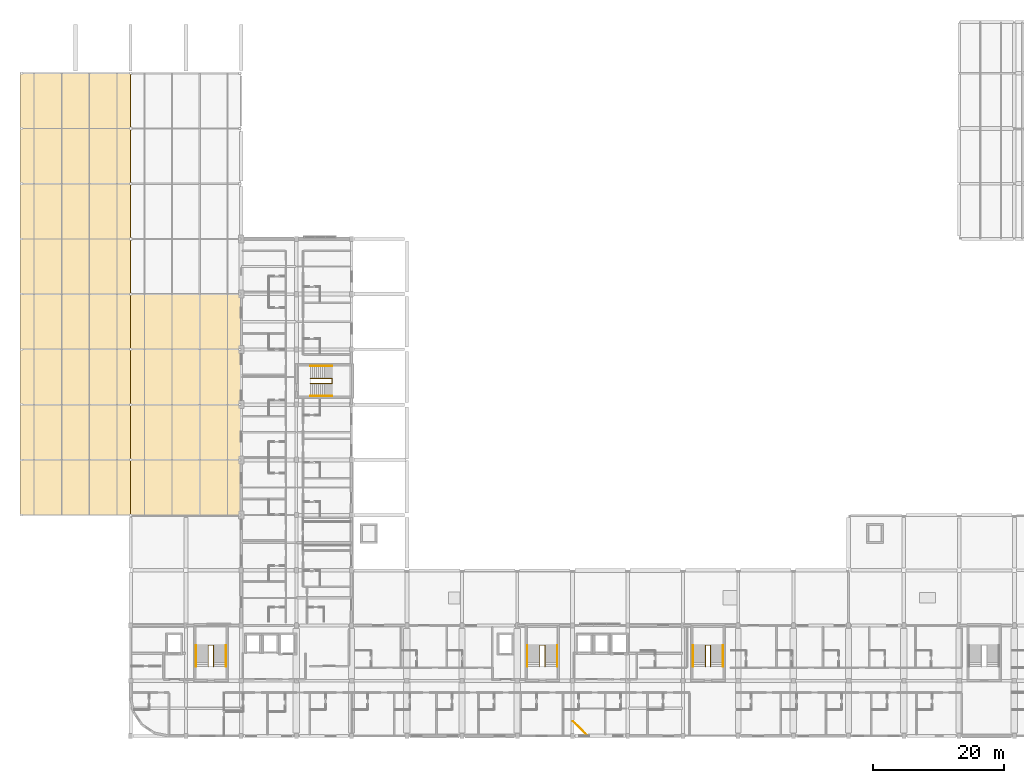
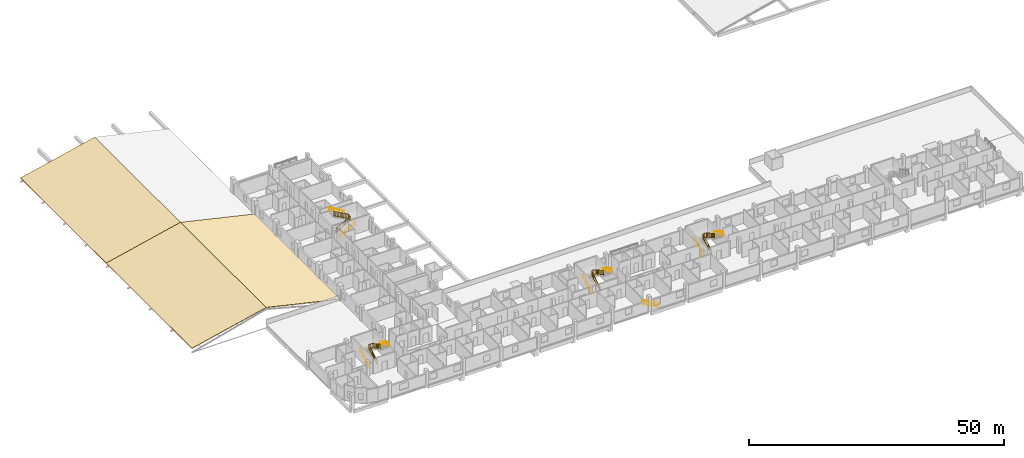
# One storey, part 40 of 42: 13 railings, 3 coverings.
"""IFC4 building model written with IfcOpenShell, lengths in metres."""

from ifc_helpers import new_model, si_unit, derived_unit, direction, frame, origin, origin_2d, place, context, subcontext, project, spatial, polyline, circle, outline, extrude, material, layer, layer_set, type_object, element, save


model = new_model("IFC4")

# Units and contexts
model_context = context("Model", 3, precision=1e-05, world=origin(), true_north=direction((0.0, 1.0)))
body_context = subcontext(model_context, "Body", "Model", "MODEL_VIEW")
ifc_project = project(units=[si_unit("LENGTHUNIT", "METRE"), si_unit("AREAUNIT", "SQUARE_METRE"), si_unit("VOLUMEUNIT", "CUBIC_METRE"), si_unit("PLANEANGLEUNIT", "RADIAN"), si_unit("MASSUNIT", "GRAM", prefix="KILO"), derived_unit("THERMALTRANSMITTANCEUNIT", [(si_unit("POWERUNIT", "WATT"), 1), (si_unit("LENGTHUNIT", "METRE"), -2), (si_unit("THERMODYNAMICTEMPERATUREUNIT", "KELVIN"), -1)])], contexts=[model_context])

# Site, building, storey
site_placement = place(None, origin())
site = spatial("IfcSite", under=ifc_project, at=site_placement, CompositionType="ELEMENT")
building_placement = place(site_placement, origin())
building = spatial("IfcBuilding", under=site, at=building_placement, Name="Barrovel Congress Hotel", CompositionType="ELEMENT")
storey_placement = place(building_placement, frame((0.0, 0.0, 18.300048828125)))
storey = spatial("IfcBuildingStorey", under=building, at=storey_placement, Name="L04", CompositionType="ELEMENT", Elevation=18.300048828125)

# Coverings
ifc_material_1 = material(Name="Terracotta Clay Tile Finish", Category="masonry")
ifc_layer_1 = layer(ifc_material_1, 0.050048828125)
ifc_layer_set_1 = layer_set([ifc_layer_1], Name="Terracotta Clay Tile Finish")
covering_type = type_object("IfcCoveringType", Name="COV-ROOFING-TILE", PredefinedType="ROOFING", material=ifc_layer_set_1)
for number, where, z_axis, x_axis, name in (
    (1, (0.0, 37.800048828125, 0.050048828125), (-0.22494120268, 0.0, 0.974372339169), (0.974372339169, 0.0, 0.22494120268), "COV:V1-ROOF-W1"),
    (2, (16.800048828125, 37.800048828125, 3.928466796875), (0.22494120268, 0.0, 0.974372339169), (0.974372339169, 0.0, -0.22494120268), "COV:V1-ROOF-E1"),
):
    element("IfcCovering", number, at=place(storey_placement, frame(where, z_axis=z_axis, x_axis=x_axis)), inside=storey, type_object=covering_type, Name=name, PredefinedType="ROOFING", context=body_context, shape_type="SweptSolid", body=[
        extrude(outline(polyline([(0.0, 0.0), (17.24191887719308, 0.0), (17.24191887719308, 33.59985351562499), (0.0, 33.59985351562499), (0.0, 0.0)])), origin(), (0.0, 0.0, -1.0), 0.050048828125),
    ])
covering_placement = place(storey_placement, frame((0.0, 71.39990234375, 0.050048828125), z_axis=(-0.22494120268, 0.0, 0.974372339169), x_axis=(0.974372339169, 0.0, 0.22494120268)))
element("IfcCovering", 3, at=covering_placement, inside=storey, type_object=covering_type, Name="COV:V1-ROOF-W2", PredefinedType="ROOFING", context=body_context, shape_type="SweptSolid", body=[
    extrude(outline(polyline([(0.0, 0.0), (17.24191887719308, 0.0), (17.24191887719308, 33.60009765624999), (0.0, 33.60009765624999), (0.0, 0.0)])), origin(), (0.0, 0.0, -1.0), 0.050048828125),
])

# Railings
ifc_material_2 = material(Name="Painted Architectural Steel", Category="steel")
ifc_layer_2 = layer(ifc_material_2, 0.070068359375)
ifc_layer_set_2 = layer_set([ifc_layer_2], Name="Painted Architectural Steel")
railing_type_1 = type_object("IfcRailingType", Name="RAIL-GUARD-INT", PredefinedType="BALUSTRADE", material=ifc_layer_set_2)
railing_1_placement = place(storey_placement, frame((28.60009765625, 14.739990234375, 0.0)))
element("IfcRailing", 4, at=railing_1_placement, inside=storey, type_object=railing_type_1, Name="STAIR:XS-01:L04:GR-W", PredefinedType="BALUSTRADE", context=body_context, shape_type="SweptSolid", body=[
    extrude(circle(Radius=0.02392578125, at=origin_2d()), frame((0.0, 0.0, 1.11572265625), z_axis=(0.0, 0.876041855244, 0.482235075311), x_axis=(-1.0, 0.0, 0.0)), (0.0, 0.0, 1.0), 3.732666015625),
    extrude(circle(Radius=0.02392578125, at=origin_2d()), frame((0.0, 0.0, 0.10009765625), z_axis=(0.0, 0.876041855244, 0.482235075311), x_axis=(-1.0, 0.0, 0.0)), (0.0, 0.0, 1.0), 3.732666015625),
    extrude(circle(Radius=0.010009765625, at=origin_2d()), frame((0.0, 0.36328125, 0.300048828125)), (0.0, 0.0, 1.0), 0.99169921875),
    extrude(circle(Radius=0.010009765625, at=origin_2d()), frame((0.0, 0.7265625, 0.5)), (0.0, 0.0, 1.0), 0.99169921875),
    extrude(circle(Radius=0.010009765625, at=origin_2d()), frame((0.0, 1.090087890625, 0.699951171875)), (0.0, 0.0, 1.0), 0.99169921875),
    extrude(circle(Radius=0.010009765625, at=origin_2d()), frame((0.0, 1.453369140625, 0.89990234375)), (0.0, 0.0, 1.0), 0.99169921875),
    extrude(circle(Radius=0.010009765625, at=origin_2d()), frame((0.0, 1.816650390625, 1.10009765625)), (0.0, 0.0, 1.0), 0.99169921875),
    extrude(circle(Radius=0.010009765625, at=origin_2d()), frame((0.0, 2.179931640625, 1.300048828125)), (0.0, 0.0, 1.0), 0.99169921875),
    extrude(circle(Radius=0.010009765625, at=origin_2d()), frame((0.0, 2.54345703125, 1.5)), (0.0, 0.0, 1.0), 0.99169921875),
    extrude(circle(Radius=0.010009765625, at=origin_2d()), frame((0.0, 2.90673828125, 1.699951171875)), (0.0, 0.0, 1.0), 0.99169921875),
    extrude(circle(Radius=0.02392578125, at=origin_2d()), frame((0.0, 3.27001953125, 2.916015625), z_axis=(1.0, 0.0, 0.0), x_axis=(0.0, 1.0, 0.0)), (0.0, 0.0, 1.0), 0.7998046875),
    extrude(circle(Radius=0.02392578125, at=origin_2d()), frame((0.0, 3.27001953125, 1.900146484375), z_axis=(1.0, 0.0, 0.0), x_axis=(0.0, 1.0, 0.0)), (0.0, 0.0, 1.0), 0.7998046875),
    extrude(circle(Radius=0.010009765625, at=origin_2d()), frame((0.39990234375, 3.27001953125, 1.900146484375)), (0.0, 0.0, 1.0), 0.99169921875),
    extrude(circle(Radius=0.02392578125, at=origin_2d()), frame((0.7998046875, 3.27001953125, 2.916015625), z_axis=(0.0, -0.87606948578, 0.482184877495), x_axis=(1.0, 0.0, 0.0)), (0.0, 0.0, 1.0), 3.732666015625),
    extrude(circle(Radius=0.02392578125, at=origin_2d()), frame((0.7998046875, 3.27001953125, 1.900146484375), z_axis=(0.0, -0.87606948578, 0.482184877495), x_axis=(1.0, 0.0, 0.0)), (0.0, 0.0, 1.0), 3.732666015625),
    extrude(circle(Radius=0.010009765625, at=origin_2d()), frame((0.7998046875, 2.90673828125, 2.10009765625)), (0.0, 0.0, 1.0), 0.99169921875),
    extrude(circle(Radius=0.010009765625, at=origin_2d()), frame((0.7998046875, 2.54345703125, 2.300048828125)), (0.0, 0.0, 1.0), 0.99169921875),
    extrude(circle(Radius=0.010009765625, at=origin_2d()), frame((0.7998046875, 2.179931640625, 2.5)), (0.0, 0.0, 1.0), 0.99169921875),
    extrude(circle(Radius=0.010009765625, at=origin_2d()), frame((0.7998046875, 1.816650390625, 2.699951171875)), (0.0, 0.0, 1.0), 0.99169921875),
    extrude(circle(Radius=0.010009765625, at=origin_2d()), frame((0.7998046875, 1.453369140625, 2.89990234375)), (0.0, 0.0, 1.0), 0.99169921875),
    extrude(circle(Radius=0.010009765625, at=origin_2d()), frame((0.7998046875, 1.090087890625, 3.099853515625)), (0.0, 0.0, 1.0), 0.99169921875),
    extrude(circle(Radius=0.010009765625, at=origin_2d()), frame((0.7998046875, 0.7265625, 3.2998046875)), (0.0, 0.0, 1.0), 0.99169921875),
    extrude(circle(Radius=0.010009765625, at=origin_2d()), frame((0.7998046875, 0.36328125, 3.499755859375)), (0.0, 0.0, 1.0), 0.99169921875),
    extrude(circle(Radius=0.02099609375, at=origin_2d()), origin(), (0.0, 0.0, 1.0), 1.091796875),
    extrude(circle(Radius=0.02099609375, at=origin_2d()), frame((0.0, 1.090087890625, 0.60009765625)), (0.0, 0.0, 1.0), 1.091796875),
    extrude(circle(Radius=0.02099609375, at=origin_2d()), frame((0.0, 2.179931640625, 1.199951171875)), (0.0, 0.0, 1.0), 1.091796875),
    extrude(circle(Radius=0.02099609375, at=origin_2d()), frame((0.0, 3.27001953125, 1.800048828125)), (0.0, 0.0, 1.0), 1.091796875),
    extrude(circle(Radius=0.02099609375, at=origin_2d()), frame((0.7998046875, 3.27001953125, 1.800048828125)), (0.0, 0.0, 1.0), 1.091796875),
    extrude(circle(Radius=0.02099609375, at=origin_2d()), frame((0.7998046875, 2.179931640625, 2.39990234375)), (0.0, 0.0, 1.0), 1.091796875),
    extrude(circle(Radius=0.02099609375, at=origin_2d()), frame((0.7998046875, 1.090087890625, 3.0)), (0.0, 0.0, 1.0), 1.091796875),
    extrude(circle(Radius=0.02099609375, at=origin_2d()), frame((0.7998046875, 0.0, 3.599853515625)), (0.0, 0.0, 1.0), 1.091796875),
])
railing_2_placement = place(storey_placement, frame((79.0, 14.739990234375, 0.0)))
element("IfcRailing", 5, at=railing_2_placement, inside=storey, type_object=railing_type_1, Name="STAIR:XS-02:L04:GR-W", PredefinedType="BALUSTRADE", context=body_context, shape_type="SweptSolid", body=[
    extrude(circle(Radius=0.02392578125, at=origin_2d()), frame((0.0, 0.0, 1.11572265625), z_axis=(0.0, 0.876041855244, 0.482235075311), x_axis=(-1.0, 0.0, 0.0)), (0.0, 0.0, 1.0), 3.732666015625),
    extrude(circle(Radius=0.02392578125, at=origin_2d()), frame((0.0, 0.0, 0.10009765625), z_axis=(0.0, 0.876041855244, 0.482235075311), x_axis=(-1.0, 0.0, 0.0)), (0.0, 0.0, 1.0), 3.732666015625),
    extrude(circle(Radius=0.010009765625, at=origin_2d()), frame((0.0, 0.36328125, 0.300048828125)), (0.0, 0.0, 1.0), 0.99169921875),
    extrude(circle(Radius=0.010009765625, at=origin_2d()), frame((0.0, 0.7265625, 0.5)), (0.0, 0.0, 1.0), 0.99169921875),
    extrude(circle(Radius=0.010009765625, at=origin_2d()), frame((0.0, 1.090087890625, 0.699951171875)), (0.0, 0.0, 1.0), 0.99169921875),
    extrude(circle(Radius=0.010009765625, at=origin_2d()), frame((0.0, 1.453369140625, 0.89990234375)), (0.0, 0.0, 1.0), 0.99169921875),
    extrude(circle(Radius=0.010009765625, at=origin_2d()), frame((0.0, 1.816650390625, 1.10009765625)), (0.0, 0.0, 1.0), 0.99169921875),
    extrude(circle(Radius=0.010009765625, at=origin_2d()), frame((0.0, 2.179931640625, 1.300048828125)), (0.0, 0.0, 1.0), 0.99169921875),
    extrude(circle(Radius=0.010009765625, at=origin_2d()), frame((0.0, 2.54345703125, 1.5)), (0.0, 0.0, 1.0), 0.99169921875),
    extrude(circle(Radius=0.010009765625, at=origin_2d()), frame((0.0, 2.90673828125, 1.699951171875)), (0.0, 0.0, 1.0), 0.99169921875),
    extrude(circle(Radius=0.02392578125, at=origin_2d()), frame((0.0, 3.27001953125, 2.916015625), z_axis=(1.0, 0.0, 0.0), x_axis=(0.0, 1.0, 0.0)), (0.0, 0.0, 1.0), 0.800048828125),
    extrude(circle(Radius=0.02392578125, at=origin_2d()), frame((0.0, 3.27001953125, 1.900146484375), z_axis=(1.0, 0.0, 0.0), x_axis=(0.0, 1.0, 0.0)), (0.0, 0.0, 1.0), 0.800048828125),
    extrude(circle(Radius=0.010009765625, at=origin_2d()), frame((0.39990234375, 3.27001953125, 1.900146484375)), (0.0, 0.0, 1.0), 0.99169921875),
    extrude(circle(Radius=0.02392578125, at=origin_2d()), frame((0.800048828125, 3.27001953125, 2.916015625), z_axis=(0.0, -0.87606948578, 0.482184877495), x_axis=(1.0, 0.0, 0.0)), (0.0, 0.0, 1.0), 3.732666015625),
    extrude(circle(Radius=0.02392578125, at=origin_2d()), frame((0.800048828125, 3.27001953125, 1.900146484375), z_axis=(0.0, -0.87606948578, 0.482184877495), x_axis=(1.0, 0.0, 0.0)), (0.0, 0.0, 1.0), 3.732666015625),
    extrude(circle(Radius=0.010009765625, at=origin_2d()), frame((0.800048828125, 2.90673828125, 2.10009765625)), (0.0, 0.0, 1.0), 0.99169921875),
    extrude(circle(Radius=0.010009765625, at=origin_2d()), frame((0.800048828125, 2.54345703125, 2.300048828125)), (0.0, 0.0, 1.0), 0.99169921875),
    extrude(circle(Radius=0.010009765625, at=origin_2d()), frame((0.800048828125, 2.179931640625, 2.5)), (0.0, 0.0, 1.0), 0.99169921875),
    extrude(circle(Radius=0.010009765625, at=origin_2d()), frame((0.800048828125, 1.816650390625, 2.699951171875)), (0.0, 0.0, 1.0), 0.99169921875),
    extrude(circle(Radius=0.010009765625, at=origin_2d()), frame((0.800048828125, 1.453369140625, 2.89990234375)), (0.0, 0.0, 1.0), 0.99169921875),
    extrude(circle(Radius=0.010009765625, at=origin_2d()), frame((0.800048828125, 1.090087890625, 3.099853515625)), (0.0, 0.0, 1.0), 0.99169921875),
    extrude(circle(Radius=0.010009765625, at=origin_2d()), frame((0.800048828125, 0.7265625, 3.2998046875)), (0.0, 0.0, 1.0), 0.99169921875),
    extrude(circle(Radius=0.010009765625, at=origin_2d()), frame((0.800048828125, 0.36328125, 3.499755859375)), (0.0, 0.0, 1.0), 0.99169921875),
    extrude(circle(Radius=0.02099609375, at=origin_2d()), origin(), (0.0, 0.0, 1.0), 1.091796875),
    extrude(circle(Radius=0.02099609375, at=origin_2d()), frame((0.0, 1.090087890625, 0.60009765625)), (0.0, 0.0, 1.0), 1.091796875),
    extrude(circle(Radius=0.02099609375, at=origin_2d()), frame((0.0, 2.179931640625, 1.199951171875)), (0.0, 0.0, 1.0), 1.091796875),
    extrude(circle(Radius=0.02099609375, at=origin_2d()), frame((0.0, 3.27001953125, 1.800048828125)), (0.0, 0.0, 1.0), 1.091796875),
    extrude(circle(Radius=0.02099609375, at=origin_2d()), frame((0.800048828125, 3.27001953125, 1.800048828125)), (0.0, 0.0, 1.0), 1.091796875),
    extrude(circle(Radius=0.02099609375, at=origin_2d()), frame((0.800048828125, 2.179931640625, 2.39990234375)), (0.0, 0.0, 1.0), 1.091796875),
    extrude(circle(Radius=0.02099609375, at=origin_2d()), frame((0.800048828125, 1.090087890625, 3.0)), (0.0, 0.0, 1.0), 1.091796875),
    extrude(circle(Radius=0.02099609375, at=origin_2d()), frame((0.800048828125, 0.0, 3.599853515625)), (0.0, 0.0, 1.0), 1.091796875),
])
railing_3_placement = place(storey_placement, frame((104.199951171875, 14.739990234375, 0.0)))
element("IfcRailing", 6, at=railing_3_placement, inside=storey, type_object=railing_type_1, Name="STAIR:XS-03:L04:GR-W", PredefinedType="BALUSTRADE", context=body_context, shape_type="SweptSolid", body=[
    extrude(circle(Radius=0.02392578125, at=origin_2d()), frame((0.0, 0.0, 1.11572265625), z_axis=(0.0, 0.876041855244, 0.482235075311), x_axis=(-1.0, 0.0, 0.0)), (0.0, 0.0, 1.0), 3.732666015625),
    extrude(circle(Radius=0.02392578125, at=origin_2d()), frame((0.0, 0.0, 0.10009765625), z_axis=(0.0, 0.876041855244, 0.482235075311), x_axis=(-1.0, 0.0, 0.0)), (0.0, 0.0, 1.0), 3.732666015625),
    extrude(circle(Radius=0.010009765625, at=origin_2d()), frame((0.0, 0.36328125, 0.300048828125)), (0.0, 0.0, 1.0), 0.99169921875),
    extrude(circle(Radius=0.010009765625, at=origin_2d()), frame((0.0, 0.7265625, 0.5)), (0.0, 0.0, 1.0), 0.99169921875),
    extrude(circle(Radius=0.010009765625, at=origin_2d()), frame((0.0, 1.090087890625, 0.699951171875)), (0.0, 0.0, 1.0), 0.99169921875),
    extrude(circle(Radius=0.010009765625, at=origin_2d()), frame((0.0, 1.453369140625, 0.89990234375)), (0.0, 0.0, 1.0), 0.99169921875),
    extrude(circle(Radius=0.010009765625, at=origin_2d()), frame((0.0, 1.816650390625, 1.10009765625)), (0.0, 0.0, 1.0), 0.99169921875),
    extrude(circle(Radius=0.010009765625, at=origin_2d()), frame((0.0, 2.179931640625, 1.300048828125)), (0.0, 0.0, 1.0), 0.99169921875),
    extrude(circle(Radius=0.010009765625, at=origin_2d()), frame((0.0, 2.54345703125, 1.5)), (0.0, 0.0, 1.0), 0.99169921875),
    extrude(circle(Radius=0.010009765625, at=origin_2d()), frame((0.0, 2.90673828125, 1.699951171875)), (0.0, 0.0, 1.0), 0.99169921875),
    extrude(circle(Radius=0.02392578125, at=origin_2d()), frame((0.0, 3.27001953125, 2.916015625), z_axis=(1.0, 0.0, 0.0), x_axis=(0.0, 1.0, 0.0)), (0.0, 0.0, 1.0), 0.800048828125),
    extrude(circle(Radius=0.02392578125, at=origin_2d()), frame((0.0, 3.27001953125, 1.900146484375), z_axis=(1.0, 0.0, 0.0), x_axis=(0.0, 1.0, 0.0)), (0.0, 0.0, 1.0), 0.800048828125),
    extrude(circle(Radius=0.010009765625, at=origin_2d()), frame((0.39990234375, 3.27001953125, 1.900146484375)), (0.0, 0.0, 1.0), 0.99169921875),
    extrude(circle(Radius=0.02392578125, at=origin_2d()), frame((0.800048828125, 3.27001953125, 2.916015625), z_axis=(0.0, -0.87606948578, 0.482184877495), x_axis=(1.0, 0.0, 0.0)), (0.0, 0.0, 1.0), 3.732666015625),
    extrude(circle(Radius=0.02392578125, at=origin_2d()), frame((0.800048828125, 3.27001953125, 1.900146484375), z_axis=(0.0, -0.87606948578, 0.482184877495), x_axis=(1.0, 0.0, 0.0)), (0.0, 0.0, 1.0), 3.732666015625),
    extrude(circle(Radius=0.010009765625, at=origin_2d()), frame((0.800048828125, 2.90673828125, 2.10009765625)), (0.0, 0.0, 1.0), 0.99169921875),
    extrude(circle(Radius=0.010009765625, at=origin_2d()), frame((0.800048828125, 2.54345703125, 2.300048828125)), (0.0, 0.0, 1.0), 0.99169921875),
    extrude(circle(Radius=0.010009765625, at=origin_2d()), frame((0.800048828125, 2.179931640625, 2.5)), (0.0, 0.0, 1.0), 0.99169921875),
    extrude(circle(Radius=0.010009765625, at=origin_2d()), frame((0.800048828125, 1.816650390625, 2.699951171875)), (0.0, 0.0, 1.0), 0.99169921875),
    extrude(circle(Radius=0.010009765625, at=origin_2d()), frame((0.800048828125, 1.453369140625, 2.89990234375)), (0.0, 0.0, 1.0), 0.99169921875),
    extrude(circle(Radius=0.010009765625, at=origin_2d()), frame((0.800048828125, 1.090087890625, 3.099853515625)), (0.0, 0.0, 1.0), 0.99169921875),
    extrude(circle(Radius=0.010009765625, at=origin_2d()), frame((0.800048828125, 0.7265625, 3.2998046875)), (0.0, 0.0, 1.0), 0.99169921875),
    extrude(circle(Radius=0.010009765625, at=origin_2d()), frame((0.800048828125, 0.36328125, 3.499755859375)), (0.0, 0.0, 1.0), 0.99169921875),
    extrude(circle(Radius=0.02099609375, at=origin_2d()), origin(), (0.0, 0.0, 1.0), 1.091796875),
    extrude(circle(Radius=0.02099609375, at=origin_2d()), frame((0.0, 1.090087890625, 0.60009765625)), (0.0, 0.0, 1.0), 1.091796875),
    extrude(circle(Radius=0.02099609375, at=origin_2d()), frame((0.0, 2.179931640625, 1.199951171875)), (0.0, 0.0, 1.0), 1.091796875),
    extrude(circle(Radius=0.02099609375, at=origin_2d()), frame((0.0, 3.27001953125, 1.800048828125)), (0.0, 0.0, 1.0), 1.091796875),
    extrude(circle(Radius=0.02099609375, at=origin_2d()), frame((0.800048828125, 3.27001953125, 1.800048828125)), (0.0, 0.0, 1.0), 1.091796875),
    extrude(circle(Radius=0.02099609375, at=origin_2d()), frame((0.800048828125, 2.179931640625, 2.39990234375)), (0.0, 0.0, 1.0), 1.091796875),
    extrude(circle(Radius=0.02099609375, at=origin_2d()), frame((0.800048828125, 1.090087890625, 3.0)), (0.0, 0.0, 1.0), 1.091796875),
    extrude(circle(Radius=0.02099609375, at=origin_2d()), frame((0.800048828125, 0.0, 3.599853515625)), (0.0, 0.0, 1.0), 1.091796875),
])
railing_4_placement = place(storey_placement, frame((44.139892578125, 57.820068359375, 0.0)))
element("IfcRailing", 7, at=railing_4_placement, inside=storey, type_object=railing_type_1, Name="STAIR:XS-05:L04:GR-W", PredefinedType="BALUSTRADE", context=body_context, shape_type="SweptSolid", body=[
    extrude(circle(Radius=0.02392578125, at=origin_2d()), frame((0.0, 0.0, 1.11572265625), z_axis=(0.876041855244, 0.0, 0.482235075311), x_axis=(0.0, 1.0, 0.0)), (0.0, 0.0, 1.0), 3.732666015625),
    extrude(circle(Radius=0.02392578125, at=origin_2d()), frame((0.0, 0.0, 0.10009765625), z_axis=(0.876041855244, 0.0, 0.482235075311), x_axis=(0.0, 1.0, 0.0)), (0.0, 0.0, 1.0), 3.732666015625),
    extrude(circle(Radius=0.010009765625, at=origin_2d()), frame((0.36328125, 0.0, 0.300048828125)), (0.0, 0.0, 1.0), 0.99169921875),
    extrude(circle(Radius=0.010009765625, at=origin_2d()), frame((0.7265625, 0.0, 0.5)), (0.0, 0.0, 1.0), 0.99169921875),
    extrude(circle(Radius=0.010009765625, at=origin_2d()), frame((1.090087890625, 0.0, 0.699951171875)), (0.0, 0.0, 1.0), 0.99169921875),
    extrude(circle(Radius=0.010009765625, at=origin_2d()), frame((1.453369140625, 0.0, 0.89990234375)), (0.0, 0.0, 1.0), 0.99169921875),
    extrude(circle(Radius=0.010009765625, at=origin_2d()), frame((1.816650390625, 0.0, 1.10009765625)), (0.0, 0.0, 1.0), 0.99169921875),
    extrude(circle(Radius=0.010009765625, at=origin_2d()), frame((2.179931640625, 0.0, 1.300048828125)), (0.0, 0.0, 1.0), 0.99169921875),
    extrude(circle(Radius=0.010009765625, at=origin_2d()), frame((2.54345703125, 0.0, 1.5)), (0.0, 0.0, 1.0), 0.99169921875),
    extrude(circle(Radius=0.010009765625, at=origin_2d()), frame((2.90673828125, 0.0, 1.699951171875)), (0.0, 0.0, 1.0), 0.99169921875),
    extrude(circle(Radius=0.02392578125, at=origin_2d()), frame((3.27001953125, 0.0, 2.916015625), z_axis=(0.0, 1.0, 0.0), x_axis=(-1.0, 0.0, 0.0)), (0.0, 0.0, 1.0), 0.760009765625),
    extrude(circle(Radius=0.02392578125, at=origin_2d()), frame((3.27001953125, 0.0, 1.900146484375), z_axis=(0.0, 1.0, 0.0), x_axis=(-1.0, 0.0, 0.0)), (0.0, 0.0, 1.0), 0.760009765625),
    extrude(circle(Radius=0.010009765625, at=origin_2d()), frame((3.27001953125, 0.3798828125, 1.900146484375)), (0.0, 0.0, 1.0), 0.99169921875),
    extrude(circle(Radius=0.02392578125, at=origin_2d()), frame((3.27001953125, 0.760009765625, 2.916015625), z_axis=(-0.87606948578, 0.0, 0.482184877495), x_axis=(0.0, -1.0, 0.0)), (0.0, 0.0, 1.0), 3.732666015625),
    extrude(circle(Radius=0.02392578125, at=origin_2d()), frame((3.27001953125, 0.760009765625, 1.900146484375), z_axis=(-0.87606948578, 0.0, 0.482184877495), x_axis=(0.0, -1.0, 0.0)), (0.0, 0.0, 1.0), 3.732666015625),
    extrude(circle(Radius=0.010009765625, at=origin_2d()), frame((2.90673828125, 0.760009765625, 2.10009765625)), (0.0, 0.0, 1.0), 0.99169921875),
    extrude(circle(Radius=0.010009765625, at=origin_2d()), frame((2.54345703125, 0.760009765625, 2.300048828125)), (0.0, 0.0, 1.0), 0.99169921875),
    extrude(circle(Radius=0.010009765625, at=origin_2d()), frame((2.179931640625, 0.760009765625, 2.5)), (0.0, 0.0, 1.0), 0.99169921875),
    extrude(circle(Radius=0.010009765625, at=origin_2d()), frame((1.816650390625, 0.760009765625, 2.699951171875)), (0.0, 0.0, 1.0), 0.99169921875),
    extrude(circle(Radius=0.010009765625, at=origin_2d()), frame((1.453369140625, 0.760009765625, 2.89990234375)), (0.0, 0.0, 1.0), 0.99169921875),
    extrude(circle(Radius=0.010009765625, at=origin_2d()), frame((1.090087890625, 0.760009765625, 3.099853515625)), (0.0, 0.0, 1.0), 0.99169921875),
    extrude(circle(Radius=0.010009765625, at=origin_2d()), frame((0.7265625, 0.760009765625, 3.2998046875)), (0.0, 0.0, 1.0), 0.99169921875),
    extrude(circle(Radius=0.010009765625, at=origin_2d()), frame((0.36328125, 0.760009765625, 3.499755859375)), (0.0, 0.0, 1.0), 0.99169921875),
    extrude(circle(Radius=0.02099609375, at=origin_2d()), origin(), (0.0, 0.0, 1.0), 1.091796875),
    extrude(circle(Radius=0.02099609375, at=origin_2d()), frame((1.090087890625, 0.0, 0.60009765625)), (0.0, 0.0, 1.0), 1.091796875),
    extrude(circle(Radius=0.02099609375, at=origin_2d()), frame((2.179931640625, 0.0, 1.199951171875)), (0.0, 0.0, 1.0), 1.091796875),
    extrude(circle(Radius=0.02099609375, at=origin_2d()), frame((3.27001953125, 0.0, 1.800048828125)), (0.0, 0.0, 1.0), 1.091796875),
    extrude(circle(Radius=0.02099609375, at=origin_2d()), frame((3.27001953125, 0.760009765625, 1.800048828125)), (0.0, 0.0, 1.0), 1.091796875),
    extrude(circle(Radius=0.02099609375, at=origin_2d()), frame((2.179931640625, 0.760009765625, 2.39990234375)), (0.0, 0.0, 1.0), 1.091796875),
    extrude(circle(Radius=0.02099609375, at=origin_2d()), frame((1.090087890625, 0.760009765625, 3.0)), (0.0, 0.0, 1.0), 1.091796875),
    extrude(circle(Radius=0.02099609375, at=origin_2d()), frame((0.0, 0.760009765625, 3.599853515625)), (0.0, 0.0, 1.0), 1.091796875),
])
railing_5_placement = place(storey_placement, frame((86.25, 4.280029296875, 0.0)))
element("IfcRailing", 8, at=railing_5_placement, inside=storey, type_object=railing_type_1, Name="RAIL:L04:CG-HS2", PredefinedType="BALUSTRADE", context=body_context, shape_type="SweptSolid", body=[
    extrude(circle(Radius=0.02392578125, at=origin_2d()), frame((0.0, 0.0, 1.11572265625), z_axis=(-0.707106781187, 0.707106781187, 0.0), x_axis=(-0.707106781187, -0.707106781187, 0.0)), (0.0, 0.0, 1.0), 3.06884765625),
    extrude(circle(Radius=0.02392578125, at=origin_2d()), frame((0.0, 0.0, 0.10009765625), z_axis=(-0.707106781187, 0.707106781187, 0.0), x_axis=(-0.707106781187, -0.707106781187, 0.0)), (0.0, 0.0, 1.0), 3.06884765625),
    extrude(circle(Radius=0.010009765625, at=origin_2d()), frame((-0.31005859375, 0.31005859375, 0.10009765625)), (0.0, 0.0, 1.0), 0.99169921875),
    extrude(circle(Radius=0.010009765625, at=origin_2d()), frame((-0.619873046875, 0.619873046875, 0.10009765625)), (0.0, 0.0, 1.0), 0.99169921875),
    extrude(circle(Radius=0.010009765625, at=origin_2d()), frame((-0.929931640625, 0.929931640625, 0.10009765625)), (0.0, 0.0, 1.0), 0.99169921875),
    extrude(circle(Radius=0.010009765625, at=origin_2d()), frame((-1.239990234375, 1.239990234375, 0.10009765625)), (0.0, 0.0, 1.0), 0.99169921875),
    extrude(circle(Radius=0.010009765625, at=origin_2d()), frame((-1.550048828125, 1.550048828125, 0.10009765625)), (0.0, 0.0, 1.0), 0.99169921875),
    extrude(circle(Radius=0.010009765625, at=origin_2d()), frame((-1.85986328125, 1.85986328125, 0.10009765625)), (0.0, 0.0, 1.0), 0.99169921875),
    extrude(circle(Radius=0.02099609375, at=origin_2d()), origin(), (0.0, 0.0, 1.0), 1.091796875),
    extrude(circle(Radius=0.02099609375, at=origin_2d()), frame((-1.0849609375, 1.0849609375, 0.0)), (0.0, 0.0, 1.0), 1.091796875),
    extrude(circle(Radius=0.02099609375, at=origin_2d()), frame((-2.169921875, 2.169921875, 0.0)), (0.0, 0.0, 1.0), 1.091796875),
])
ifc_material_3 = material(Name="Brushed Stainless Steel", Category="steel")
ifc_layer_3 = layer(ifc_material_3, 0.050048828125)
ifc_layer_set_3 = layer_set([ifc_layer_3], Name="Brushed Stainless Steel")
railing_type_2 = type_object("IfcRailingType", Name="RAIL-HAND", PredefinedType="HANDRAIL", material=ifc_layer_set_3)
railing_6_placement = place(storey_placement, frame((26.719970703125, 14.739990234375, 0.0)))
element("IfcRailing", 9, at=railing_6_placement, inside=storey, type_object=railing_type_2, Name="STAIR:XS-01:L04:HR-1", PredefinedType="HANDRAIL", context=body_context, shape_type="SweptSolid", body=[
    extrude(circle(Radius=0.02392578125, at=origin_2d()), frame((0.0, 0.0, 0.89599609375), z_axis=(0.0, 0.876041855244, 0.482235075311), x_axis=(-1.0, 0.0, 0.0)), (0.0, 0.0, 1.0), 3.732666015625),
    extrude(circle(Radius=0.02099609375, at=origin_2d()), origin(), (0.0, 0.0, 1.0), 0.871826171875),
    extrude(circle(Radius=0.02099609375, at=origin_2d()), frame((0.0, 1.090087890625, 0.60009765625)), (0.0, 0.0, 1.0), 0.871826171875),
    extrude(circle(Radius=0.02099609375, at=origin_2d()), frame((0.0, 2.179931640625, 1.199951171875)), (0.0, 0.0, 1.0), 0.871826171875),
    extrude(circle(Radius=0.02099609375, at=origin_2d()), frame((0.0, 3.27001953125, 1.800048828125)), (0.0, 0.0, 1.0), 0.871826171875),
])
railing_7_placement = place(storey_placement, frame((31.280029296875, 18.010009765625, 1.800048828125)))
element("IfcRailing", 10, at=railing_7_placement, inside=storey, type_object=railing_type_2, Name="STAIR:XS-01:L04:HR-2", PredefinedType="HANDRAIL", context=body_context, shape_type="SweptSolid", body=[
    extrude(circle(Radius=0.02392578125, at=origin_2d()), frame((0.0, 0.0, 0.89599609375), z_axis=(0.0, -0.87606948578, 0.482184877495), x_axis=(1.0, 0.0, 0.0)), (0.0, 0.0, 1.0), 3.732666015625),
    extrude(circle(Radius=0.02099609375, at=origin_2d()), origin(), (0.0, 0.0, 1.0), 0.871826171875),
    extrude(circle(Radius=0.02099609375, at=origin_2d()), frame((0.0, -1.090087890625, 0.599853515625)), (0.0, 0.0, 1.0), 0.871826171875),
    extrude(circle(Radius=0.02099609375, at=origin_2d()), frame((0.0, -2.179931640625, 1.199951171875)), (0.0, 0.0, 1.0), 0.871826171875),
    extrude(circle(Radius=0.02099609375, at=origin_2d()), frame((0.0, -3.27001953125, 1.7998046875)), (0.0, 0.0, 1.0), 0.871826171875),
])
railing_8_placement = place(storey_placement, frame((77.1201171875, 14.739990234375, 0.0)))
element("IfcRailing", 11, at=railing_8_placement, inside=storey, type_object=railing_type_2, Name="STAIR:XS-02:L04:HR-1", PredefinedType="HANDRAIL", context=body_context, shape_type="SweptSolid", body=[
    extrude(circle(Radius=0.02392578125, at=origin_2d()), frame((0.0, 0.0, 0.89599609375), z_axis=(0.0, 0.876041855244, 0.482235075311), x_axis=(-1.0, 0.0, 0.0)), (0.0, 0.0, 1.0), 3.732666015625),
    extrude(circle(Radius=0.02099609375, at=origin_2d()), origin(), (0.0, 0.0, 1.0), 0.871826171875),
    extrude(circle(Radius=0.02099609375, at=origin_2d()), frame((0.0, 1.090087890625, 0.60009765625)), (0.0, 0.0, 1.0), 0.871826171875),
    extrude(circle(Radius=0.02099609375, at=origin_2d()), frame((0.0, 2.179931640625, 1.199951171875)), (0.0, 0.0, 1.0), 0.871826171875),
    extrude(circle(Radius=0.02099609375, at=origin_2d()), frame((0.0, 3.27001953125, 1.800048828125)), (0.0, 0.0, 1.0), 0.871826171875),
])
railing_9_placement = place(storey_placement, frame((81.679931640625, 18.010009765625, 1.800048828125)))
element("IfcRailing", 12, at=railing_9_placement, inside=storey, type_object=railing_type_2, Name="STAIR:XS-02:L04:HR-2", PredefinedType="HANDRAIL", context=body_context, shape_type="SweptSolid", body=[
    extrude(circle(Radius=0.02392578125, at=origin_2d()), frame((0.0, 0.0, 0.89599609375), z_axis=(0.0, -0.87606948578, 0.482184877495), x_axis=(1.0, 0.0, 0.0)), (0.0, 0.0, 1.0), 3.732666015625),
    extrude(circle(Radius=0.02099609375, at=origin_2d()), origin(), (0.0, 0.0, 1.0), 0.871826171875),
    extrude(circle(Radius=0.02099609375, at=origin_2d()), frame((0.0, -1.090087890625, 0.599853515625)), (0.0, 0.0, 1.0), 0.871826171875),
    extrude(circle(Radius=0.02099609375, at=origin_2d()), frame((0.0, -2.179931640625, 1.199951171875)), (0.0, 0.0, 1.0), 0.871826171875),
    extrude(circle(Radius=0.02099609375, at=origin_2d()), frame((0.0, -3.27001953125, 1.7998046875)), (0.0, 0.0, 1.0), 0.871826171875),
])
railing_10_placement = place(storey_placement, frame((102.320068359375, 14.739990234375, 0.0)))
element("IfcRailing", 13, at=railing_10_placement, inside=storey, type_object=railing_type_2, Name="STAIR:XS-03:L04:HR-1", PredefinedType="HANDRAIL", context=body_context, shape_type="SweptSolid", body=[
    extrude(circle(Radius=0.02392578125, at=origin_2d()), frame((0.0, 0.0, 0.89599609375), z_axis=(0.0, 0.876041855244, 0.482235075311), x_axis=(-1.0, 0.0, 0.0)), (0.0, 0.0, 1.0), 3.732666015625),
    extrude(circle(Radius=0.02099609375, at=origin_2d()), origin(), (0.0, 0.0, 1.0), 0.871826171875),
    extrude(circle(Radius=0.02099609375, at=origin_2d()), frame((0.0, 1.090087890625, 0.60009765625)), (0.0, 0.0, 1.0), 0.871826171875),
    extrude(circle(Radius=0.02099609375, at=origin_2d()), frame((0.0, 2.179931640625, 1.199951171875)), (0.0, 0.0, 1.0), 0.871826171875),
    extrude(circle(Radius=0.02099609375, at=origin_2d()), frame((0.0, 3.27001953125, 1.800048828125)), (0.0, 0.0, 1.0), 0.871826171875),
])
railing_11_placement = place(storey_placement, frame((106.8798828125, 18.010009765625, 1.800048828125)))
element("IfcRailing", 14, at=railing_11_placement, inside=storey, type_object=railing_type_2, Name="STAIR:XS-03:L04:HR-2", PredefinedType="HANDRAIL", context=body_context, shape_type="SweptSolid", body=[
    extrude(circle(Radius=0.02392578125, at=origin_2d()), frame((0.0, 0.0, 0.89599609375), z_axis=(0.0, -0.87606948578, 0.482184877495), x_axis=(1.0, 0.0, 0.0)), (0.0, 0.0, 1.0), 3.732666015625),
    extrude(circle(Radius=0.02099609375, at=origin_2d()), origin(), (0.0, 0.0, 1.0), 0.871826171875),
    extrude(circle(Radius=0.02099609375, at=origin_2d()), frame((0.0, -1.090087890625, 0.599853515625)), (0.0, 0.0, 1.0), 0.871826171875),
    extrude(circle(Radius=0.02099609375, at=origin_2d()), frame((0.0, -2.179931640625, 1.199951171875)), (0.0, 0.0, 1.0), 0.871826171875),
    extrude(circle(Radius=0.02099609375, at=origin_2d()), frame((0.0, -3.27001953125, 1.7998046875)), (0.0, 0.0, 1.0), 0.871826171875),
])
railing_12_placement = place(storey_placement, frame((44.139892578125, 55.919921875, 0.0)))
element("IfcRailing", 15, at=railing_12_placement, inside=storey, type_object=railing_type_2, Name="STAIR:XS-05:L04:HR-1", PredefinedType="HANDRAIL", context=body_context, shape_type="SweptSolid", body=[
    extrude(circle(Radius=0.02392578125, at=origin_2d()), frame((0.0, 0.0, 0.89599609375), z_axis=(0.876041855244, 0.0, 0.482235075311), x_axis=(0.0, 1.0, 0.0)), (0.0, 0.0, 1.0), 3.732666015625),
    extrude(circle(Radius=0.02099609375, at=origin_2d()), origin(), (0.0, 0.0, 1.0), 0.871826171875),
    extrude(circle(Radius=0.02099609375, at=origin_2d()), frame((1.090087890625, 0.0, 0.60009765625)), (0.0, 0.0, 1.0), 0.871826171875),
    extrude(circle(Radius=0.02099609375, at=origin_2d()), frame((2.179931640625, 0.0, 1.199951171875)), (0.0, 0.0, 1.0), 0.871826171875),
    extrude(circle(Radius=0.02099609375, at=origin_2d()), frame((3.27001953125, 0.0, 1.800048828125)), (0.0, 0.0, 1.0), 0.871826171875),
])
railing_13_placement = place(storey_placement, frame((47.409912109375, 60.47998046875, 1.800048828125)))
element("IfcRailing", 16, at=railing_13_placement, inside=storey, type_object=railing_type_2, Name="STAIR:XS-05:L04:HR-2", PredefinedType="HANDRAIL", context=body_context, shape_type="SweptSolid", body=[
    extrude(circle(Radius=0.02392578125, at=origin_2d()), frame((0.0, 0.0, 0.89599609375), z_axis=(-0.87606948578, 0.0, 0.482184877495), x_axis=(0.0, -1.0, 0.0)), (0.0, 0.0, 1.0), 3.732666015625),
    extrude(circle(Radius=0.02099609375, at=origin_2d()), origin(), (0.0, 0.0, 1.0), 0.871826171875),
    extrude(circle(Radius=0.02099609375, at=origin_2d()), frame((-1.090087890625, 0.0, 0.599853515625)), (0.0, 0.0, 1.0), 0.871826171875),
    extrude(circle(Radius=0.02099609375, at=origin_2d()), frame((-2.179931640625, 0.0, 1.199951171875)), (0.0, 0.0, 1.0), 0.871826171875),
    extrude(circle(Radius=0.02099609375, at=origin_2d()), frame((-3.27001953125, 0.0, 1.7998046875)), (0.0, 0.0, 1.0), 0.871826171875),
])

save(model, "model.ifc")
